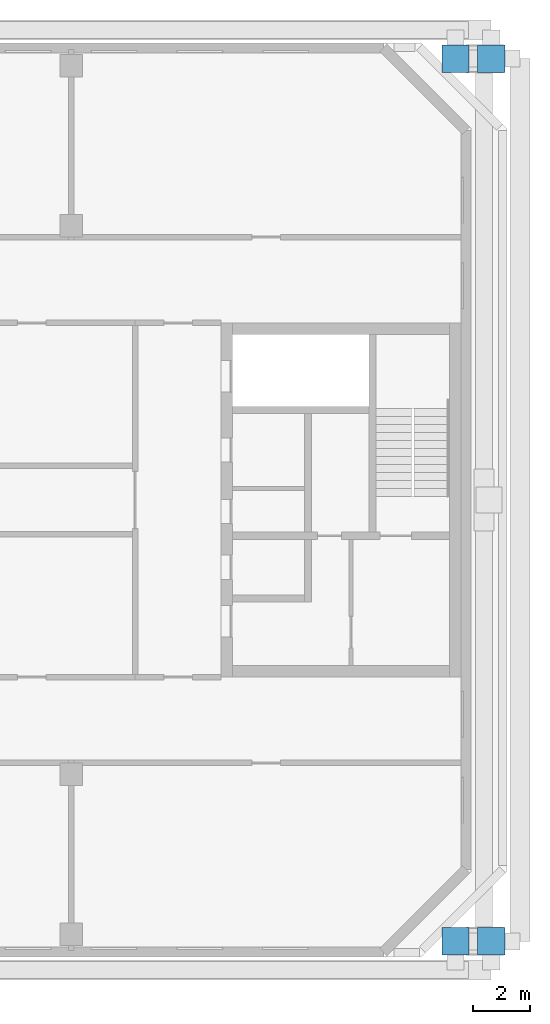
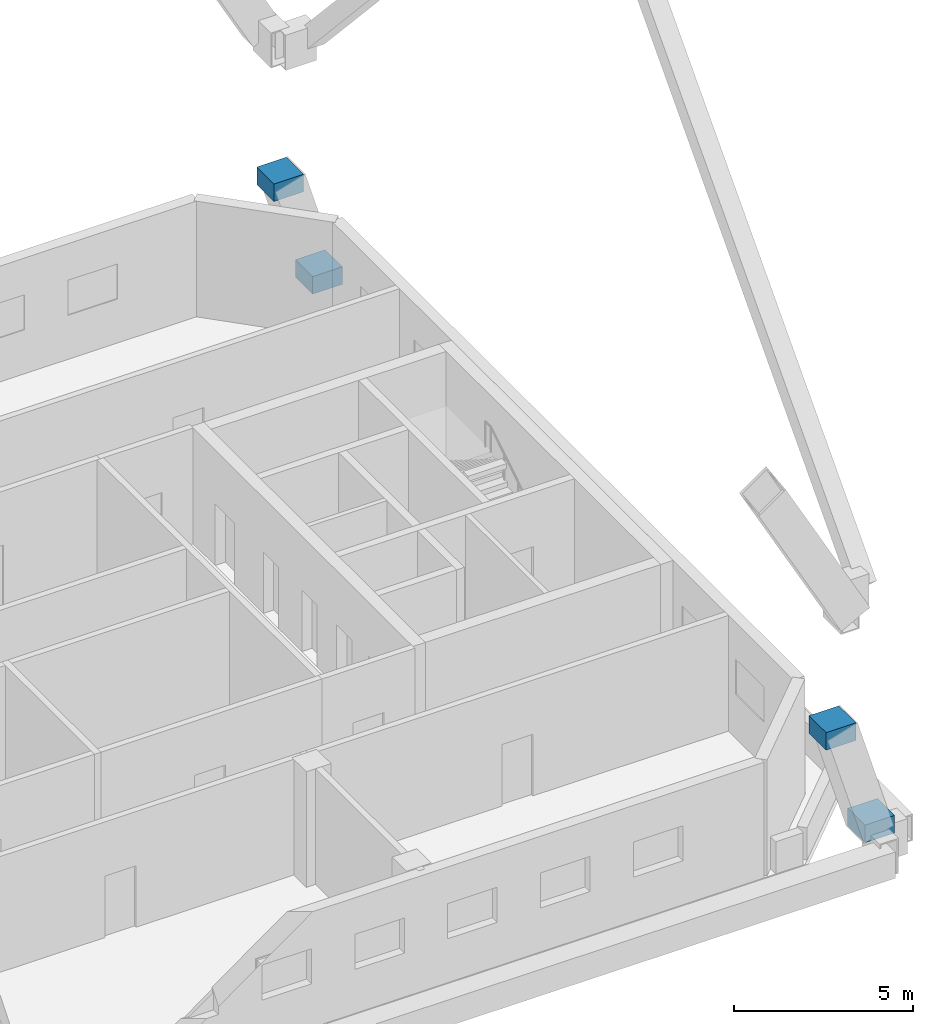
# One storey, part 16 of 17: 4 discrete accessories.
"""IFC4 building model written with IfcOpenShell, lengths in metres."""

from ifc_helpers import new_model, si_unit, direction, frame, origin, origin_2d, place, context, subcontext, project, spatial, rectangle, extrude, element, save


model = new_model("IFC4")

# Units and contexts
model_context = context("Model", 3, precision=1e-05, world=origin(), true_north=direction((0.0, 1.0)))
body_context = subcontext(model_context, "Body", "Model", "MODEL_VIEW")
ifc_project = project(units=[si_unit("LENGTHUNIT", "METRE"), si_unit("AREAUNIT", "SQUARE_METRE"), si_unit("VOLUMEUNIT", "CUBIC_METRE"), si_unit("PLANEANGLEUNIT", "RADIAN"), si_unit("MASSUNIT", "GRAM", prefix="KILO")], contexts=[model_context])

# Site, building, storey
site_placement = place(None, origin())
site = spatial("IfcSite", under=ifc_project, at=site_placement, CompositionType="ELEMENT")
building_placement = place(site_placement, origin())
building = spatial("IfcBuilding", under=site, at=building_placement, Name="Tuart Gate Housing", CompositionType="ELEMENT")
storey_placement = place(building_placement, frame((0.0, 0.0, 194.39990234375)))
storey = spatial("IfcBuildingStorey", under=building, at=storey_placement, Name="L55", CompositionType="ELEMENT", Elevation=194.39990234375)

# Discrete accessories
for number, where, z_axis, x_axis, name in (
    (1, (169.699951171875, 54.550048828125, 0.0), (0.0, 0.0, 1.0), (1.0, 0.0, 0.0), "Mega column node B south-east foot L55"),
    (2, (168.449951171875, 54.550048828125, 3.60009765625), (0.0, 0.0, 1.0), (1.0, 0.0, 0.0), "Mega column node B south-east head L55"),
    (3, (169.699951171875, 85.449951171875, 0.0), (0.0, 0.0, 1.0), (1.0, 0.0, 0.0), "Mega column node B north-east foot L55"),
    (4, (168.449951171875, 85.449951171875, 3.60009765625), (0.0, 0.0, 1.0), (1.0, 0.0, 0.0), "Mega column node B north-east head L55"),
):
    element("IfcDiscreteAccessory", number, at=place(storey_placement, frame(where, z_axis=z_axis, x_axis=x_axis)), inside=storey, Name=name, ObjectType="Mega column node", PredefinedType="USERDEFINED", context=body_context, shape_type="SweptSolid", body=[
        extrude(rectangle(XDim=0.9599609375, YDim=0.9599609375, at=origin_2d()), origin(), (0.0, 0.0, 1.0), 0.60009765625),
    ])

save(model, "model.ifc")
